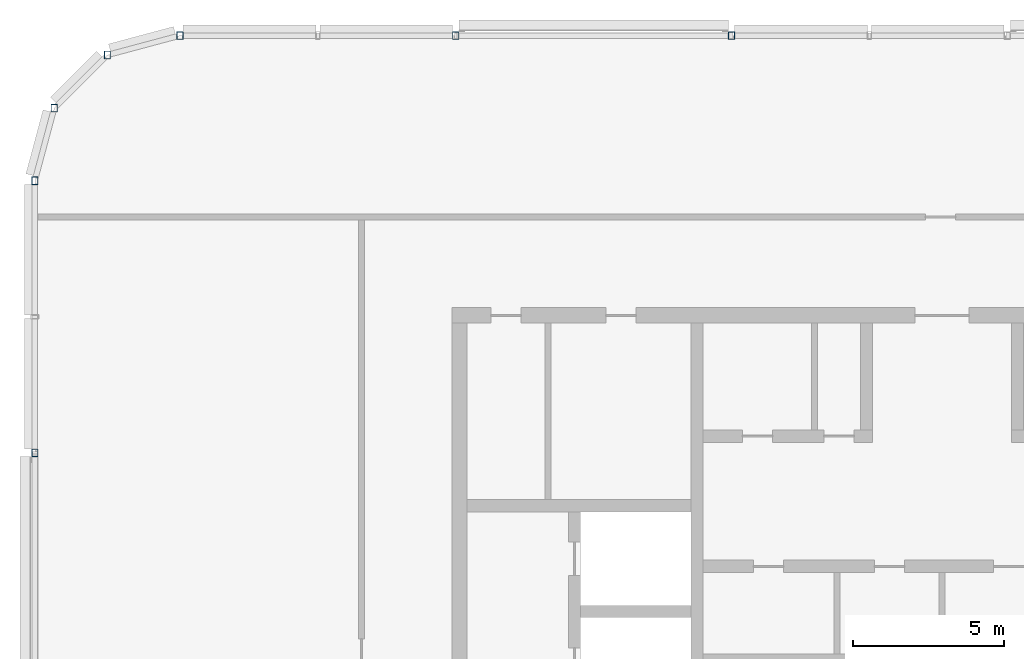
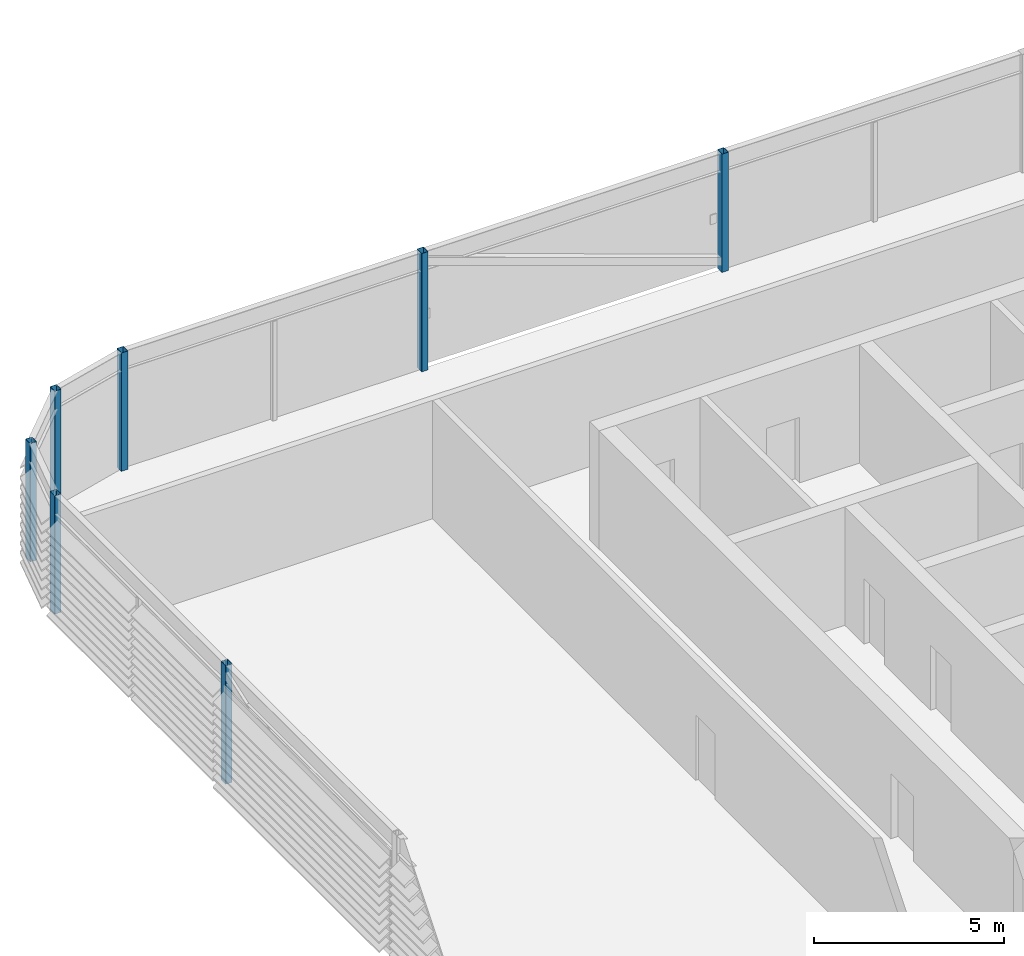
# One storey, part 3 of 28: 7 columns.
"""IFC4 building model written with IfcOpenShell, lengths in metres."""

from ifc_helpers import new_model, si_unit, direction, frame, origin, origin_2d, place, context, subcontext, project, spatial, hollow_rectangle, extrude, material, material_profile, profile_set, type_object, element, save


model = new_model("IFC4")

# Units and contexts
model_context = context("Model", 3, precision=1e-05, world=origin(), true_north=direction((0.0, 1.0)))
body_context = subcontext(model_context, "Body", "Model", "MODEL_VIEW")
ifc_project = project(units=[si_unit("LENGTHUNIT", "METRE"), si_unit("AREAUNIT", "SQUARE_METRE"), si_unit("VOLUMEUNIT", "CUBIC_METRE"), si_unit("PLANEANGLEUNIT", "RADIAN"), si_unit("MASSUNIT", "GRAM", prefix="KILO")], contexts=[model_context])

# Site, building, storey
site_placement = place(None, origin())
site = spatial("IfcSite", under=ifc_project, at=site_placement, CompositionType="ELEMENT")
building_placement = place(site_placement, origin())
building = spatial("IfcBuilding", under=site, at=building_placement, Name="Madar Terraces", CompositionType="ELEMENT")
storey_placement = place(building_placement, frame((0.0, 0.0, 310.10009765625)))
storey = spatial("IfcBuildingStorey", under=building, at=storey_placement, Name="L80", CompositionType="ELEMENT", Elevation=310.10009765625)

# Columns
ifc_material = material(Name="Steel ASTM A500 Grade C", Category="steel")
ifc_material_profile = material_profile(ifc_material, hollow_rectangle(XDim=0.203125, YDim=0.25390625, WallThickness=0.009521484375, InnerFilletRadius=0.00439453125, OuterFilletRadius=0.01318359375, at=origin_2d()), Name="HSS10x8x.375")
ifc_profile_set = profile_set([ifc_material_profile], Name="Steel ASTM A500 Grade C")
column_type = type_object("IfcColumnType", Name="CF1 HSS10x8x.375", PredefinedType="COLUMN", material=ifc_profile_set)
for number, where, z_axis, x_axis, name in (
    (1, (24.239990234375, 46.800048828125, 0.0), (0.0, 0.0, 1.0), (1.0, 0.0, 0.0), "Crown frame column CF1"),
    (2, (15.1201171875, 46.800048828125, 0.0), (0.0, 0.0, 1.0), (1.0, 0.0, 0.0), "Crown frame column CF1"),
    (3, (6.0, 46.800048828125, 0.0), (0.0, 0.0, 1.0), (1.0, 0.0, 0.0), "Crown frame column CF1"),
    (4, (3.60009765625, 46.156982421875, 0.0), (0.0, 0.0, 1.0), (1.0, 0.0, 0.0), "Crown frame column CF1"),
    (5, (1.843017578125, 44.39990234375, 0.0), (0.0, 0.0, 1.0), (1.0, 0.0, 0.0), "Crown frame column CF1"),
    (6, (1.199951171875, 42.0, 0.0), (0.0, 0.0, 1.0), (1.0, 0.0, 0.0), "Crown frame column CF1"),
    (7, (1.199951171875, 33.0, 0.0), (0.0, 0.0, 1.0), (1.0, 0.0, 0.0), "Crown frame column CF1"),
):
    element("IfcColumn", number, at=place(storey_placement, frame(where, z_axis=z_axis, x_axis=x_axis)), inside=storey, type_object=column_type, Name=name, PredefinedType="COLUMN", context=body_context, shape_type="SweptSolid", body=[
        extrude(hollow_rectangle(XDim=0.203125, YDim=0.25390625, WallThickness=0.009521484375, InnerFilletRadius=0.00439453125, OuterFilletRadius=0.01318359375, at=origin_2d()), origin(), (0.0, 0.0, 1.0), 3.7998046875),
    ])

save(model, "model.ifc")
